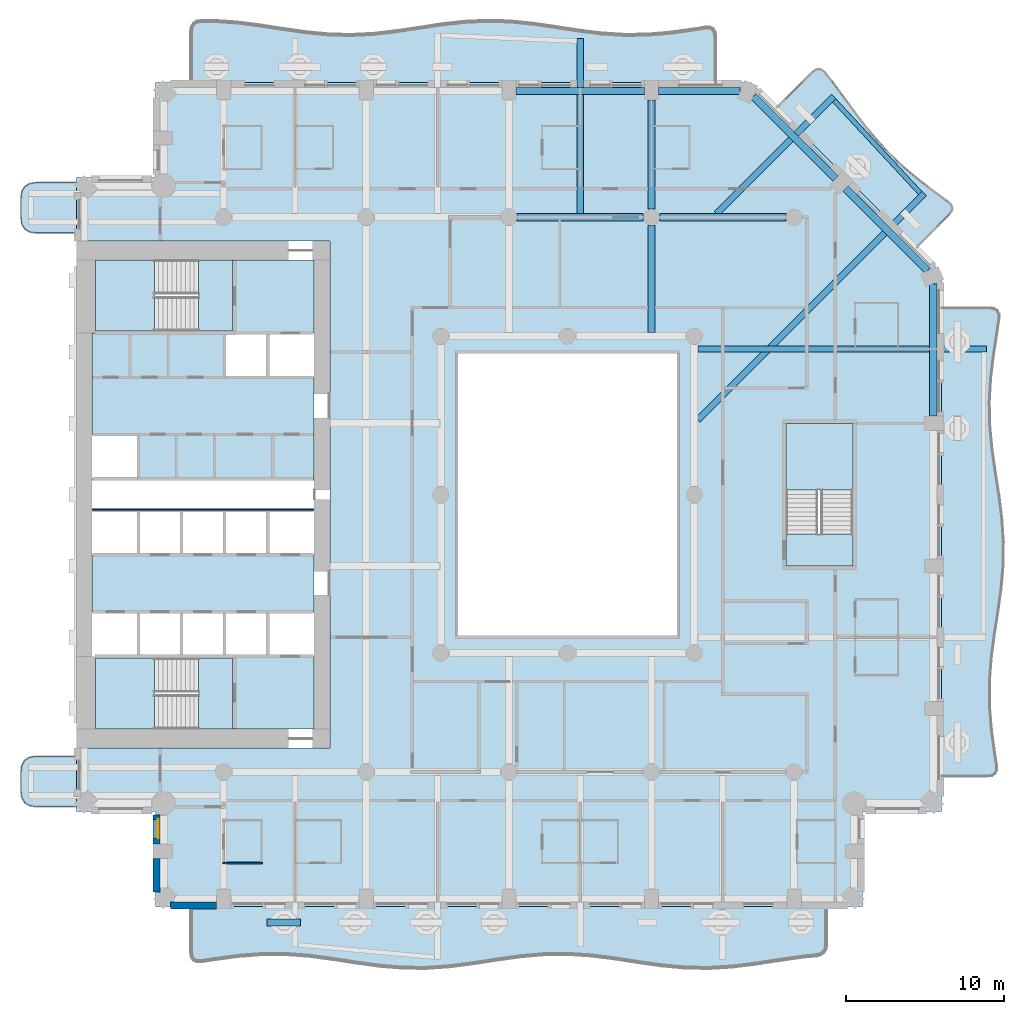
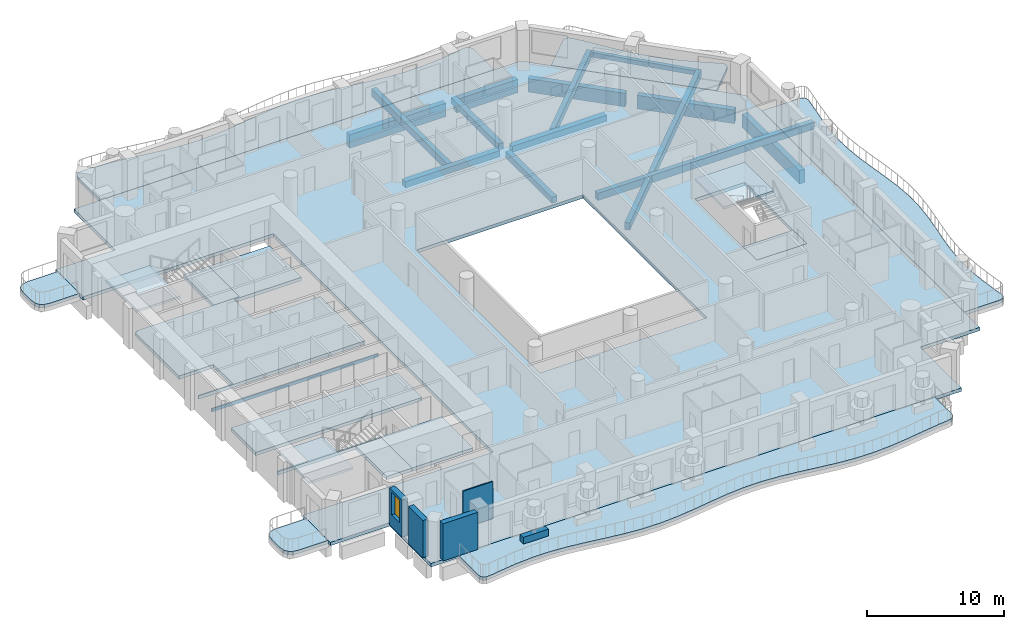
# One storey, part 2 of 20: 17 slabs, 14 beams, 5 walls, 1 window, 1 opening, 3 elements without a shape of their own.
"""IFC4 building model written with IfcOpenShell, lengths in metres."""

from ifc_helpers import new_model, si_unit, direction, frame, frame_2d, origin, origin_2d, place, context, subcontext, project, spatial, polyline, rectangle, outline, extrude, material, layer, layer_set, material_profile, profile_set, type_object, element, fill, aggregate, save


model = new_model("IFC4")

# Units and contexts
model_context = context("Model", 3, precision=1e-05, world=origin(), true_north=direction((0.0, 1.0)))
body_context = subcontext(model_context, "Body", "Model", "MODEL_VIEW")
ifc_project = project(units=[si_unit("LENGTHUNIT", "METRE"), si_unit("AREAUNIT", "SQUARE_METRE"), si_unit("VOLUMEUNIT", "CUBIC_METRE"), si_unit("PLANEANGLEUNIT", "RADIAN"), si_unit("MASSUNIT", "GRAM", prefix="KILO")], contexts=[model_context])

# Site, building, storey
site_placement = place(None, origin())
site = spatial("IfcSite", under=ifc_project, at=site_placement, CompositionType="ELEMENT")
building_placement = place(site_placement, origin())
building = spatial("IfcBuilding", under=site, at=building_placement, Name="Cypress Arch Tower", CompositionType="ELEMENT")
storey_placement = place(building_placement, frame((0.0, 0.0, 123.89990234375)))
storey = spatial("IfcBuildingStorey", under=building, at=storey_placement, Name="L26", CompositionType="ELEMENT", Elevation=123.89990234375)

# Beams
ifc_material_1 = material(Name="Concrete C50/60", Category="concrete")
ifc_material_profile_1 = material_profile(ifc_material_1, rectangle(XDim=0.300048828125, YDim=0.39990234375, at=origin_2d()), Name="RC 300x400")
ifc_profile_set_1 = profile_set([ifc_material_profile_1], Name="Concrete C50/60")
beam_type_1 = type_object("IfcBeamType", Name="Balcony edge beam RC 300x400 Concrete C50/60", PredefinedType="BEAM", material=ifc_profile_set_1)
beam_1_placement = place(storey_placement, frame((23.2587890625, 19.029296875, -0.5), z_axis=(-0.680641499678, 0.732616645263, 0.0), x_axis=(-0.732616645263, -0.680641499678, 0.0)))
element("IfcBeam", 1, at=beam_1_placement, inside=storey, type_object=beam_type_1, Name="Balcony edge beam L26 A07", PredefinedType="BEAM", context=body_context, shape_type="SweptSolid", body=[
    extrude(rectangle(XDim=0.300048828125, YDim=0.39990234375, at=origin_2d()), origin(), (0.0, 0.0, 1.0), 7.966552734375),
])
ifc_material_2 = material(Name="Concrete C50/60", Category="concrete")
ifc_material_profile_2 = material_profile(ifc_material_2, rectangle(XDim=0.39990234375, YDim=0.64990234375, at=origin_2d()), Name="RC 400x650")
ifc_profile_set_2 = profile_set([ifc_material_profile_2], Name="Concrete C50/60")
beam_type_2 = type_object("IfcBeamType", Name="Cantilever beam RC 400x650 Concrete C50/60", PredefinedType="BEAM", material=ifc_profile_set_2)
beam_2_placement = place(storey_placement, frame((9.22509765625, 9.18798828125, -0.625), z_axis=(1.0, 0.0, 0.0), x_axis=(0.0, 1.0, 0.0)))
element("IfcBeam", 2, at=beam_2_placement, inside=storey, type_object=beam_type_2, Name="Cantilever beam L26 A06 2", PredefinedType="BEAM", context=body_context, shape_type="SweptSolid", body=[
    extrude(rectangle(XDim=0.39990234375, YDim=0.64990234375, at=origin_2d()), origin(), (0.0, 0.0, 1.0), 18.201416015625),
])
beam_3_placement = place(storey_placement, frame((9.22509765625, 4.712890625, -0.625), z_axis=(0.707100737048, 0.707112825273, 0.0), x_axis=(-0.707112825273, 0.707100737048, 0.0)))
element("IfcBeam", 3, at=beam_3_placement, inside=storey, type_object=beam_type_2, Name="Cantilever beam L26 A07 1", PredefinedType="BEAM", context=body_context, shape_type="SweptSolid", body=[
    extrude(rectangle(XDim=0.39990234375, YDim=0.64990234375, at=origin_2d()), origin(), (0.0, 0.0, 1.0), 20.196533203125),
])
beam_4_placement = place(storey_placement, frame((10.412841796875, 17.72509765625, -0.625), z_axis=(0.707106781187, 0.707106781187, 0.0), x_axis=(-0.707106781187, 0.707106781187, 0.0)))
element("IfcBeam", 4, at=beam_4_placement, inside=storey, type_object=beam_type_2, Name="Cantilever beam L26 A07 2", PredefinedType="BEAM", context=body_context, shape_type="SweptSolid", body=[
    extrude(rectangle(XDim=0.39990234375, YDim=0.64990234375, at=origin_2d()), origin(), (0.0, 0.0, 1.0), 10.448486328125),
])
beam_5_placement = place(storey_placement, frame((1.800048828125, 17.72509765625, -0.625), z_axis=(0.0, 1.0, 0.0), x_axis=(-1.0, 0.0, 0.0)))
element("IfcBeam", 5, at=beam_5_placement, inside=storey, type_object=beam_type_2, Name="Cantilever beam L26 A08 1", PredefinedType="BEAM", context=body_context, shape_type="SweptSolid", body=[
    extrude(rectangle(XDim=0.39990234375, YDim=0.64990234375, at=origin_2d()), origin(), (0.0, 0.0, 1.0), 11.04345703125),
])
ifc_material_3 = material(Name="Concrete C50/60", Category="concrete")
ifc_material_profile_3 = material_profile(ifc_material_3, rectangle(XDim=0.449951171875, YDim=0.550048828125, at=origin_2d()), Name="RC 450x550")
ifc_profile_set_3 = profile_set([ifc_material_profile_3], Name="Concrete C50/60")
beam_type_3 = type_object("IfcBeamType", Name="Floor beam RC 450x550 Concrete C50/60", PredefinedType="BEAM", material=ifc_profile_set_3)
for number, where, z_axis, x_axis, name in (
    (6, (-2.175048828125, 17.5, -0.574951171875), (1.0, 0.0, 0.0), (0.0, 1.0, 0.0), "Floor beam L26 FB017"),
    (7, (6.824951171875, 17.5, -0.574951171875), (1.0, 0.0, 0.0), (0.0, 1.0, 0.0), "Floor beam L26 FB018"),
):
    element("IfcBeam", number, at=place(storey_placement, frame(where, z_axis=z_axis, x_axis=x_axis)), inside=storey, type_object=beam_type_3, Name=name, PredefinedType="BEAM", context=body_context, shape_type="SweptSolid", body=[
        extrude(rectangle(XDim=0.449951171875, YDim=0.550048828125, at=origin_2d()), origin(), (0.0, 0.0, 1.0), 7.949951171875),
    ])
beam_6_placement = place(storey_placement, frame((6.300048828125, 10.22509765625, -0.574951171875), z_axis=(0.0, 1.0, 0.0), x_axis=(-1.0, 0.0, 0.0)))
element("IfcBeam", 8, at=beam_6_placement, inside=storey, type_object=beam_type_3, Name="Floor beam L26 FB032", PredefinedType="BEAM", context=body_context, shape_type="SweptSolid", body=[
    extrude(rectangle(XDim=0.449951171875, YDim=0.550048828125, at=origin_2d()), origin(), (0.0, 0.0, 1.0), 6.75),
])
beam_7_placement = place(storey_placement, frame((6.300048828125, 18.02490234375, -0.574951171875), z_axis=(0.0, 1.0, 0.0), x_axis=(-1.0, 0.0, 0.0)))
element("IfcBeam", 9, at=beam_7_placement, inside=storey, type_object=beam_type_3, Name="Floor beam L26 FB033", PredefinedType="BEAM", context=body_context, shape_type="SweptSolid", body=[
    extrude(rectangle(XDim=0.449951171875, YDim=0.550048828125, at=origin_2d()), origin(), (0.0, 0.0, 1.0), 6.875),
])
ifc_material_4 = material(Name="Concrete C50/60", Category="concrete")
ifc_material_profile_4 = material_profile(ifc_material_4, rectangle(XDim=0.449951171875, YDim=1.199951171875, at=origin_2d()), Name="RC 450x1200")
ifc_profile_set_4 = profile_set([ifc_material_profile_4], Name="Concrete C50/60")
beam_type_4 = type_object("IfcBeamType", Name="Spandrel beam RC 450x1200 Concrete C50/60", PredefinedType="SPANDREL", material=ifc_profile_set_4)
beam_8_placement = place(storey_placement, frame((24.074951171875, 4.949951171875, -1.5498046875), z_axis=(0.0, 1.0, 0.0), x_axis=(-1.0, 0.0, 0.0)))
element("IfcBeam", 10, at=beam_8_placement, inside=storey, type_object=beam_type_4, Name="Spandrel beam L26 BA06-3", PredefinedType="SPANDREL", context=body_context, shape_type="SweptSolid", body=[
    extrude(rectangle(XDim=0.449951171875, YDim=1.199951171875, at=origin_2d()), origin(), (0.0, 0.0, 1.0), 8.345458984375),
])
for number, where, z_axis, x_axis, name in (
    (11, (23.73046875, 14.126953125, -1.5498046875), (-0.707106781187, 0.707106781187, 0.0), (-0.707106781187, -0.707106781187, 0.0), "Spandrel beam L26 BA07-0"),
    (12, (17.91064453125, 19.947021484375, -1.5498046875), (-0.707106781187, 0.707106781187, 0.0), (-0.707106781187, -0.707106781187, 0.0), "Spandrel beam L26 BA07-1"),
):
    element("IfcBeam", number, at=place(storey_placement, frame(where, z_axis=z_axis, x_axis=x_axis)), inside=storey, type_object=beam_type_4, Name=name, PredefinedType="SPANDREL", context=body_context, shape_type="SweptSolid", body=[
        extrude(rectangle(XDim=0.449951171875, YDim=1.199951171875, at=origin_2d()), origin(), (0.0, 0.0, 1.0), 7.330810546875),
    ])
beam_9_placement = place(storey_placement, frame((11.8955078125, 25.47509765625, -1.5498046875), z_axis=(-1.0, 0.0, 0.0), x_axis=(0.0, -1.0, 0.0)))
element("IfcBeam", 13, at=beam_9_placement, inside=storey, type_object=beam_type_4, Name="Spandrel beam L26 BA08-0", PredefinedType="SPANDREL", context=body_context, shape_type="SweptSolid", body=[
    extrude(rectangle(XDim=0.449951171875, YDim=1.199951171875, at=origin_2d()), origin(), (0.0, 0.0, 1.0), 5.1455078125),
])
beam_10_placement = place(storey_placement, frame((5.85009765625, 25.47509765625, -1.5498046875), z_axis=(-1.0, 0.0, 0.0), x_axis=(0.0, -1.0, 0.0)))
element("IfcBeam", 14, at=beam_10_placement, inside=storey, type_object=beam_type_4, Name="Spandrel beam L26 BA08-1", PredefinedType="SPANDREL", context=body_context, shape_type="SweptSolid", body=[
    extrude(rectangle(XDim=0.449951171875, YDim=1.199951171875, at=origin_2d()), origin(), (0.0, 0.0, 1.0), 8.10009765625),
])

# Slabs
ifc_material_5 = material(Name="Concrete C40/50", Category="concrete")
ifc_layer_1 = layer(ifc_material_5, 0.300048828125)
ifc_layer_set_1 = layer_set([ifc_layer_1], Name="Balcony slab BS300")
slab_type_1 = type_object("IfcSlabType", Name="Balcony slab BS300", PredefinedType="USERDEFINED", material=ifc_layer_set_1)
slab_1_placement = place(storey_placement, frame((0.0, 0.0, -0.2998046875)))
element("IfcSlab", 15, at=slab_1_placement, inside=storey, type_object=slab_type_1, Name="Balcony slab L26-A00W0", ObjectType="BALCONY SLAB", PredefinedType="USERDEFINED", context=body_context, shape_type="SweptSolid", body=[
    extrude(outline(polyline([(-30.0, 19.699951171875), (-32.5, 19.699951171875), (-32.9375, 19.637451171875), (-33.25, 19.449951171875), (-33.4375, 19.137451171875), (-33.5, 18.699951171875), (-33.5, 17.5), (-33.4375, 17.0625), (-33.25, 16.75), (-32.9375, 16.5625), (-32.5, 16.5), (-30.0, 16.5), (-30.0, 19.699951171875)])), origin(), (0.0, 0.0, 1.0), 0.2998046875),
])
slab_2_placement = place(storey_placement, frame((0.0, 0.0, -0.2998046875)))
element("IfcSlab", 16, at=slab_2_placement, inside=storey, type_object=slab_type_1, Name="Balcony slab L26-A00W1", ObjectType="BALCONY SLAB", PredefinedType="USERDEFINED", context=body_context, shape_type="SweptSolid", body=[
    extrude(outline(polyline([(-30.0, -16.5), (-32.5, -16.5), (-32.9375, -16.5625), (-33.25, -16.75), (-33.4375, -17.0625), (-33.5, -17.5), (-33.5, -18.699951171875), (-33.4375, -19.137451171875), (-33.25, -19.449951171875), (-32.9375, -19.637451171875), (-32.5, -19.699951171875), (-30.0, -19.699951171875), (-30.0, -16.5)])), origin(), (0.0, 0.0, 1.0), 0.2998046875),
])
slab_3_placement = place(storey_placement, frame((0.0, 0.0, -0.2998046875)))
element("IfcSlab", 17, at=slab_3_placement, inside=storey, type_object=slab_type_1, Name="Balcony slab L26-A03", ObjectType="BALCONY SLAB", PredefinedType="USERDEFINED", context=body_context, shape_type="SweptSolid", body=[
    extrude(outline(polyline([(-22.75, -26.0), (-22.75, -28.89013671875), (-22.708251953125, -29.179443359375), (-22.5830078125, -29.371337890625), (-22.3740234375, -29.4658203125), (-22.081787109375, -29.462646484375), (-21.264892578125, -29.335693359375), (-19.779541015625, -29.135009765625), (-18.29443359375, -29.01708984375), (-16.809326171875, -29.012939453125), (-15.323974609375, -29.123779296875), (-13.8388671875, -29.320068359375), (-12.353759765625, -29.55078125), (-10.868408203125, -29.7548828125), (-9.38330078125, -29.878662109375), (-7.898193359375, -29.89013671875), (-6.412841796875, -29.785888671875), (-4.927734375, -29.59326171875), (-3.442626953125, -29.363037109375), (-1.95751953125, -29.15576171875), (-0.47216796875, -29.025634765625), (1.012939453125, -29.007080078125), (2.498046875, -29.10498046875), (3.9833984375, -29.293701171875), (5.468505859375, -29.523193359375), (6.95361328125, -29.733642578125), (8.43896484375, -29.869384765625), (9.924072265625, -29.89501953125), (11.4091796875, -29.8037109375), (12.89453125, -29.619384765625), (14.379638671875, -29.390625), (15.86474609375, -29.17724609375), (16.681640625, -29.099365234375), (16.97412109375, -29.029541015625), (17.182861328125, -28.8837890625), (17.308349609375, -28.662109375), (17.35009765625, -28.364501953125), (17.35009765625, -26.0), (-22.75, -26.0)])), origin(), (0.0, 0.0, 1.0), 0.2998046875),
])
slab_4_placement = place(storey_placement, frame((0.0, 0.0, -0.2998046875)))
element("IfcSlab", 18, at=slab_4_placement, inside=storey, type_object=slab_type_1, Name="Balcony slab L26-A06", ObjectType="BALCONY SLAB", PredefinedType="USERDEFINED", context=body_context, shape_type="SweptSolid", body=[
    extrude(outline(polyline([(24.60009765625, -17.75), (27.494873046875, -17.75), (27.7822265625, -17.70849609375), (27.97265625, -17.583984375), (28.06640625, -17.376708984375), (28.0634765625, -17.086181640625), (27.937255859375, -16.27490234375), (27.7373046875, -14.800048828125), (27.61865234375, -13.324951171875), (27.611572265625, -11.85009765625), (27.71826171875, -10.375), (27.910888671875, -8.89990234375), (28.1396484375, -7.425048828125), (28.34521484375, -5.949951171875), (28.47412109375, -4.47509765625), (28.4931640625, -3.0), (28.397216796875, -1.52490234375), (28.211181640625, -0.050048828125), (27.9833984375, 1.425048828125), (27.77294921875, 2.89990234375), (27.63427734375, 4.375), (27.603271484375, 5.85009765625), (27.688232421875, 7.324951171875), (27.866943359375, 8.800048828125), (28.093017578125, 10.27490234375), (28.21142578125, 11.086181640625), (28.211669921875, 11.376708984375), (28.1162109375, 11.583984375), (27.9248046875, 11.70849609375), (27.637451171875, 11.75), (24.60009765625, 11.75), (24.60009765625, -17.75)])), origin(), (0.0, 0.0, 1.0), 0.2998046875),
])
slab_5_placement = place(storey_placement, frame((0.0, 0.0, -0.2998046875)))
element("IfcSlab", 19, at=slab_5_placement, inside=storey, type_object=slab_type_1, Name="Balcony slab L26-A07", ObjectType="BALCONY SLAB", PredefinedType="USERDEFINED", context=body_context, shape_type="SweptSolid", body=[
    extrude(outline(polyline([(23.009033203125, 15.591064453125), (25.084716796875, 17.666748046875), (25.248046875, 17.88525390625), (25.2919921875, 18.094482421875), (25.21630859375, 18.29443359375), (25.021484375, 18.485107421875), (24.398681640625, 18.940185546875), (23.28271484375, 19.78369140625), (22.2138671875, 20.674560546875), (21.212890625, 21.633056640625), (20.284423828125, 22.664306640625), (19.4169921875, 23.75634765625), (18.58447265625, 24.88330078125), (17.753173828125, 26.01171875), (17.278076171875, 26.6142578125), (17.080322265625, 26.80224609375), (16.87548828125, 26.873046875), (16.663818359375, 26.82666015625), (16.4453125, 26.663330078125), (14.19091796875, 24.408935546875), (23.009033203125, 15.591064453125)])), origin(), (0.0, 0.0, 1.0), 0.2998046875),
])
slab_6_placement = place(storey_placement, frame((0.0, 0.0, -0.2998046875)))
element("IfcSlab", 20, at=slab_6_placement, inside=storey, type_object=slab_type_1, Name="Balcony slab L26-A08", ObjectType="BALCONY SLAB", PredefinedType="USERDEFINED", context=body_context, shape_type="SweptSolid", body=[
    extrude(outline(polyline([(10.35009765625, 26.0), (10.35009765625, 28.9111328125), (10.3095703125, 29.19140625), (10.18798828125, 29.37744140625), (9.98583984375, 29.468994140625), (9.702392578125, 29.4658203125), (8.910888671875, 29.3427734375), (7.4716796875, 29.1455078125), (6.03271484375, 29.023681640625), (4.593505859375, 29.007080078125), (3.154296875, 29.099853515625), (1.71533203125, 29.279296875), (0.276123046875, 29.500732421875), (-1.1630859375, 29.709716796875), (-2.602294921875, 29.8544921875), (-4.041259765625, 29.8994140625), (-5.48046875, 29.833251953125), (-6.919677734375, 29.67236328125), (-8.358642578125, 29.45654296875), (-9.7978515625, 29.239013671875), (-11.237060546875, 29.07373046875), (-12.676025390625, 29.00146484375), (-14.115234375, 29.039794921875), (-15.554443359375, 29.1796875), (-16.993408203125, 29.386474609375), (-18.4326171875, 29.608642578125), (-19.871826171875, 29.791748046875), (-21.310791015625, 29.890625), (-22.102294921875, 29.885009765625), (-22.3857421875, 29.842529296875), (-22.588134765625, 29.719482421875), (-22.70947265625, 29.516357421875), (-22.75, 29.232666015625), (-22.75, 26.0), (10.35009765625, 26.0)])), origin(), (0.0, 0.0, 1.0), 0.2998046875),
])
ifc_material_6 = material(Name="Concrete C40/50", Category="concrete")
ifc_layer_2 = layer(ifc_material_6, 0.300048828125)
ifc_layer_set_2 = layer_set([ifc_layer_2], Name="Core floor CF300")
slab_type_2 = type_object("IfcSlabType", Name="Core floor CF300", PredefinedType="FLOOR", material=ifc_layer_set_2)
slab_7_placement = place(storey_placement, frame((0.0, 0.0, -0.2998046875)))
element("IfcSlab", 21, at=slab_7_placement, inside=storey, type_object=slab_type_2, Name="Core floor", PredefinedType="FLOOR", context=body_context, shape_type="SweptSolid", body=[
    extrude(outline(polyline([(-20.125, -14.800048828125), (-15.0, -14.800048828125), (-15.0, -10.199951171875), (-17.919921875, -10.199951171875), (-20.639892578125, -10.199951171875), (-23.360107421875, -10.199951171875), (-26.080078125, -10.199951171875), (-28.800048828125, -10.199951171875), (-28.800048828125, -10.324951171875), (-22.27490234375, -10.324951171875), (-20.125, -10.324951171875), (-20.125, -14.800048828125)])), origin(), (0.0, 0.0, 1.0), 0.2998046875),
])
slab_8_placement = place(storey_placement, frame((0.0, 0.0, -0.2998046875)))
element("IfcSlab", 22, at=slab_8_placement, inside=storey, type_object=slab_type_2, Name="Core floor", PredefinedType="FLOOR", context=body_context, shape_type="SweptSolid", body=[
    extrude(outline(polyline([(-29.0, -3.800048828125), (-29.0, -7.39990234375), (-26.080078125, -7.39990234375), (-23.360107421875, -7.39990234375), (-20.639892578125, -7.39990234375), (-17.919921875, -7.39990234375), (-15.0, -7.39990234375), (-15.0, -3.800048828125), (-17.919921875, -3.800048828125), (-20.639892578125, -3.800048828125), (-23.360107421875, -3.800048828125), (-26.080078125, -3.800048828125), (-29.0, -3.800048828125)])), origin(), (0.0, 0.0, 1.0), 0.2998046875),
])
slab_9_placement = place(storey_placement, frame((0.0, 0.0, -0.2998046875)))
element("IfcSlab", 23, at=slab_9_placement, inside=storey, type_object=slab_type_2, Name="Core floor", PredefinedType="FLOOR", context=body_context, shape_type="SweptSolid", body=[
    extrude(outline(polyline([(-29.0, 3.800048828125), (-29.0, 10.199951171875), (-28.800048828125, 10.199951171875), (-28.800048828125, 10.324951171875), (-28.60009765625, 10.324951171875), (-22.27490234375, 10.324951171875), (-20.125, 10.324951171875), (-20.125, 14.800048828125), (-15.39990234375, 14.800048828125), (-15.0, 14.800048828125), (-15.0, 10.199951171875), (-15.39990234375, 10.199951171875), (-17.919921875, 10.199951171875), (-20.639892578125, 10.199951171875), (-20.639892578125, 7.39990234375), (-17.919921875, 7.39990234375), (-15.39990234375, 7.39990234375), (-15.0, 7.39990234375), (-15.0, 0.89990234375), (-28.60009765625, 0.89990234375), (-29.0, 0.89990234375), (-29.0, 1.0), (-28.60009765625, 1.0), (-26.080078125, 1.0), (-26.080078125, 3.800048828125), (-28.60009765625, 3.800048828125), (-29.0, 3.800048828125)])), origin(), (0.0, 0.0, 1.0), 0.2998046875),
])
slab_10_placement = place(storey_placement, frame((0.0, 0.0, -0.2998046875)))
element("IfcSlab", 24, at=slab_10_placement, inside=storey, type_object=slab_type_2, Name="Core floor", PredefinedType="FLOOR", context=body_context, shape_type="SweptSolid", body=[
    extrude(outline(polyline([(-22.27490234375, -10.324951171875), (-22.27490234375, -14.800048828125), (-20.125, -14.800048828125), (-20.125, -10.324951171875), (-22.27490234375, -10.324951171875)])), origin(), (0.0, 0.0, 1.0), 0.2998046875),
])
slab_11_placement = place(storey_placement, frame((0.0, 0.0, -0.2998046875)))
element("IfcSlab", 25, at=slab_11_placement, inside=storey, type_object=slab_type_2, Name="Core floor", PredefinedType="FLOOR", context=body_context, shape_type="SweptSolid", body=[
    extrude(outline(polyline([(-20.125, 14.800048828125), (-22.27490234375, 14.800048828125), (-22.27490234375, 10.324951171875), (-20.125, 10.324951171875), (-20.125, 14.800048828125)])), origin(), (0.0, 0.0, 1.0), 0.2998046875),
])
slab_12_placement = place(storey_placement, frame((0.0, 0.0, -0.2998046875)))
element("IfcSlab", 26, at=slab_12_placement, inside=storey, type_object=slab_type_2, Name="Stair floor landing", PredefinedType="FLOOR", context=body_context, shape_type="SweptSolid", body=[
    extrude(outline(polyline([(19.0, -4.5), (19.0, -2.5), (14.800048828125, -2.5), (14.800048828125, -4.5), (19.0, -4.5)])), origin(), (0.0, 0.0, 1.0), 0.2998046875),
])
slab_13_placement = place(storey_placement, frame((0.0, 0.0, -0.2998046875)))
element("IfcSlab", 27, at=slab_13_placement, inside=storey, type_object=slab_type_2, Name="Core floor", PredefinedType="FLOOR", context=body_context, shape_type="SweptSolid", body=[
    extrude(outline(polyline([(-20.639892578125, -1.0), (-23.360107421875, -1.0), (-26.080078125, -1.0), (-28.60009765625, -1.0), (-29.0, -1.0), (-29.0, -0.89990234375), (-28.60009765625, -0.89990234375), (-15.39990234375, -0.89990234375), (-15.0, -0.89990234375), (-15.0, -1.0), (-15.39990234375, -1.0), (-17.919921875, -1.0), (-20.639892578125, -1.0)])), origin(), (0.0, 0.0, 1.0), 0.2998046875),
])
ifc_material_7 = material(Name="Concrete C40/50", Category="concrete")
ifc_layer_3 = layer(ifc_material_7, 0.300048828125)
ifc_layer_set_3 = layer_set([ifc_layer_3], Name="PT flat slab 300 Concrete C40/50")
slab_type_3 = type_object("IfcSlabType", Name="PT flat slab 300 Concrete C40/50", PredefinedType="FLOOR", material=ifc_layer_set_3)
slab_14_placement = place(storey_placement, frame((0.0, 0.0, -0.2998046875)))
element("IfcSlab", 28, at=slab_14_placement, inside=storey, type_object=slab_type_3, Name="Floor slab L26", PredefinedType="FLOOR", context=body_context, shape_type="SweptSolid", body=[
    extrude(outline(polyline([(-30.0, 20.0), (-25.0, 20.0), (-25.0, 26.0), (12.60009765625, 26.0), (24.60009765625, 14.0), (24.60009765625, -20.0), (19.60009765625, -20.0), (19.60009765625, -26.0), (-25.0, -26.0), (-25.0, -20.0), (-30.0, -20.0), (-30.0, -16.0), (-14.0, -16.0), (-14.0, 16.0), (-30.0, 16.0), (-30.0, 20.0)]), holes=[polyline([(-6.0, -9.0), (8.0, -9.0), (8.0, 9.0), (-6.0, 9.0), (-6.0, -9.0)]), polyline([(14.800048828125, -4.5), (19.0, -4.5), (19.0, 4.5), (14.800048828125, 4.5), (14.800048828125, -4.5)])]), origin(), (0.0, 0.0, 1.0), 0.2998046875),
])

# Stair, slab
ifc_material_8 = material(Name="Concrete C40/50", Category="concrete")
stair_type_1 = type_object("IfcStairType", Name="Exit stair ES1636-215", PredefinedType="HALF_TURN_STAIR", material=ifc_material_8)
stair_1_placement = place(storey_placement, origin())
stair_1 = element("IfcStair", 29, at=stair_1_placement, inside=storey, type_object=stair_type_1, Name="L26 Exit stair A", PredefinedType="HALF_TURN_STAIR")
ifc_material_9 = material(Name="Concrete C40/50", Category="concrete")
ifc_layer_4 = layer(ifc_material_9, 0.199951171875)
ifc_layer_set_4 = layer_set([ifc_layer_4], Name="Stair landing SL200")
slab_type_4 = type_object("IfcSlabType", Name="Stair landing SL200", PredefinedType="LANDING", material=ifc_layer_set_4)
slab_15_placement = place(storey_placement, frame((0.0, 0.0, 1.60009765625)))
slab_15 = element("IfcSlab", 30, at=slab_15_placement, type_object=slab_type_4, Name="A landing 1", PredefinedType="LANDING", context=body_context, shape_type="SweptSolid", body=[
    extrude(outline(polyline([(-25.074951171875, -10.324951171875), (-28.800048828125, -10.324951171875), (-28.800048828125, -14.800048828125), (-25.074951171875, -14.800048828125), (-25.074951171875, -10.324951171875)])), origin(), (0.0, 0.0, 1.0), 0.199951171875),
])
aggregate(stair_1, [slab_15])

stair_2_placement = place(storey_placement, origin())
stair_2 = element("IfcStair", 31, at=stair_2_placement, inside=storey, type_object=stair_type_1, Name="L26 Exit stair B", PredefinedType="HALF_TURN_STAIR")
slab_16_placement = place(storey_placement, frame((0.0, 0.0, 1.60009765625)))
slab_16 = element("IfcSlab", 32, at=slab_16_placement, type_object=slab_type_4, Name="B landing 1", PredefinedType="LANDING", context=body_context, shape_type="SweptSolid", body=[
    extrude(outline(polyline([(-25.074951171875, 14.800048828125), (-28.800048828125, 14.800048828125), (-28.800048828125, 10.324951171875), (-25.074951171875, 10.324951171875), (-25.074951171875, 14.800048828125)])), origin(), (0.0, 0.0, 1.0), 0.199951171875),
])
aggregate(stair_2, [slab_16])

ifc_material_10 = material(Name="Concrete C40/50", Category="concrete")
stair_type_2 = type_object("IfcStairType", Name="Exit stair ES1636-200", PredefinedType="HALF_TURN_STAIR", material=ifc_material_10)
stair_3_placement = place(storey_placement, origin())
stair_3 = element("IfcStair", 33, at=stair_3_placement, inside=storey, type_object=stair_type_2, Name="L26 Exit stair C", PredefinedType="HALF_TURN_STAIR")
slab_17_placement = place(storey_placement, frame((0.0, 0.0, 1.60009765625)))
slab_17 = element("IfcSlab", 34, at=slab_17_placement, type_object=slab_type_4, Name="C landing 1", PredefinedType="LANDING", context=body_context, shape_type="SweptSolid", body=[
    extrude(outline(polyline([(19.0, 0.300048828125), (19.0, 4.5), (14.800048828125, 4.5), (14.800048828125, 0.300048828125), (19.0, 0.300048828125)])), origin(), (0.0, 0.0, 1.0), 0.199951171875),
])
aggregate(stair_3, [slab_17])

# Wall
ifc_material_11 = material(Name="Concrete C40/50, waterproofed", Category="concrete")
ifc_layer_5 = layer(ifc_material_11, 0.449951171875)
ifc_layer_set_5 = layer_set([ifc_layer_5], Name="Balcony planter wall PW450")
wall_type_1 = type_object("IfcWallType", Name="Balcony planter wall PW450", PredefinedType="SOLIDWALL", material=ifc_layer_set_5)
wall_1_placement = place(storey_placement, frame((-17.949951171875, -27.0, 0.0), z_axis=(0.0, 0.0, 1.0), x_axis=(1.0, 0.0, 0.0)))
element("IfcWall", 35, at=wall_1_placement, inside=storey, type_object=wall_type_1, Name="Balcony planter wall L26-A03.1", PredefinedType="SOLIDWALL", context=body_context, shape_type="SweptSolid", body=[
    extrude(rectangle(XDim=2.099853515625, YDim=0.449951171875, at=frame_2d((1.0498046875, 0.0))), origin(), (0.0, 0.0, 1.0), 0.60009765625),
])

# Wall, opening, window
ifc_material_12 = material(Name="Brick (red buff blend)", Category="masonry")
ifc_layer_6 = layer(ifc_material_12, 0.449951171875)
ifc_layer_set_6 = layer_set([ifc_layer_6], Name="Brick pier and spandrel wall BW450")
wall_type_2 = type_object("IfcWallType", Name="Brick pier and spandrel wall BW450", PredefinedType="SOLIDWALL", material=ifc_layer_set_6)
wall_2_placement = place(storey_placement, frame((-24.925048828125, -20.20703125, 0.0), z_axis=(0.0, 0.0, 1.0), x_axis=(0.0, -1.0, 0.0)))
wall_2 = element("IfcWall", 36, at=wall_2_placement, inside=storey, type_object=wall_type_2, Name="Brick wall L26 A02.0", PredefinedType="SOLIDWALL", context=body_context, shape_type="SweptSolid", body=[
    extrude(rectangle(XDim=1.843017578125, YDim=0.449951171875, at=frame_2d((0.92138671875, 0.0))), origin(), (0.0, 0.0, 1.0), 3.300048828125),
])
opening_placement = place(wall_2_placement, frame((0.29296875, 0.0, 1.050048828125)))
opening = element("IfcOpeningElement", 37, at=opening_placement, cuts=wall_2, Name="Opening W120H", PredefinedType="OPENING", context=body_context, shape_type="SweptSolid", body=[
    extrude(rectangle(XDim=1.199951171875, YDim=2.0, at=frame_2d((0.60009765625, 1.0))), frame((0.0, 0.23486328125, 0.0), z_axis=(0.0, -1.0, 0.0), x_axis=(1.0, 0.0, 0.0)), (0.0, 0.0, 1.0), 0.469970703125),
])
ifc_material_13 = material(Name="Anodised aluminium, bronze finish, clear low-emissivity double glazing", Category="aluminium")
window_type = type_object("IfcWindowType", Name="Window Hotel 1200x2000", PartitioningType="SINGLE_PANEL", PredefinedType="WINDOW", material=ifc_material_13)
window_placement = place(opening_placement, origin())
window = element("IfcWindow", 38, at=window_placement, inside=storey, type_object=window_type, Name="Window L26 A02.0.1", OverallHeight=2.0, OverallWidth=1.199951171875, PartitioningType="SINGLE_PANEL", PredefinedType="WINDOW", context=body_context, shape_type="SweptSolid", body=[
    extrude(rectangle(XDim=1.199951171875, YDim=2.0, at=frame_2d((0.60009765625, 1.0))), frame((0.0, 0.135009765625, 0.0), z_axis=(0.0, -1.0, 0.0), x_axis=(1.0, 0.0, 0.0)), (0.0, 0.0, 1.0), 0.06005859375),
])
fill(opening, window)

# Walls
wall_3_placement = place(storey_placement, frame((-24.925048828125, -22.949951171875, 0.0), z_axis=(0.0, 0.0, 1.0), x_axis=(0.0, -1.0, 0.0)))
element("IfcWall", 39, at=wall_3_placement, inside=storey, type_object=wall_type_2, Name="Brick wall L26 A02.1", PredefinedType="SOLIDWALL", context=body_context, shape_type="SweptSolid", body=[
    extrude(rectangle(XDim=2.11376953125, YDim=0.449951171875, at=frame_2d((1.056884765625, 0.0))), origin(), (0.0, 0.0, 1.0), 3.300048828125),
])
wall_4_placement = place(storey_placement, frame((-24.063720703125, -25.925048828125, 0.0), z_axis=(0.0, 0.0, 1.0), x_axis=(1.0, 0.0, 0.0)))
element("IfcWall", 40, at=wall_4_placement, inside=storey, type_object=wall_type_2, Name="Brick wall L26 A03.0", PredefinedType="SOLIDWALL", context=body_context, shape_type="SweptSolid", body=[
    extrude(rectangle(XDim=2.913818359375, YDim=0.449951171875, at=frame_2d((1.45703125, 0.0))), origin(), (0.0, 0.0, 1.0), 3.300048828125),
])
ifc_material_14 = material(Name="Moisture resistant board on steel studs, tiled", Category="steel")
ifc_layer_7 = layer(ifc_material_14, 0.10009765625)
ifc_layer_set_7 = layer_set([ifc_layer_7], Name="Wet wall PW100")
wall_type_3 = type_object("IfcWallType", Name="Wet wall PW100", PredefinedType="PARTITIONING", material=ifc_layer_set_7)
wall_5_placement = place(storey_placement, frame((-20.75, -23.25, 0.0), z_axis=(0.0, 0.0, 1.0), x_axis=(1.0, 0.0, 0.0)))
element("IfcWall", 41, at=wall_5_placement, inside=storey, type_object=wall_type_3, Name="Wet wall", PredefinedType="PARTITIONING", context=body_context, shape_type="SweptSolid", body=[
    extrude(rectangle(XDim=2.5, YDim=0.10009765625, at=frame_2d((1.25, 0.0))), origin(), (0.0, 0.0, 1.0), 3.300048828125),
])

save(model, "model.ifc")
